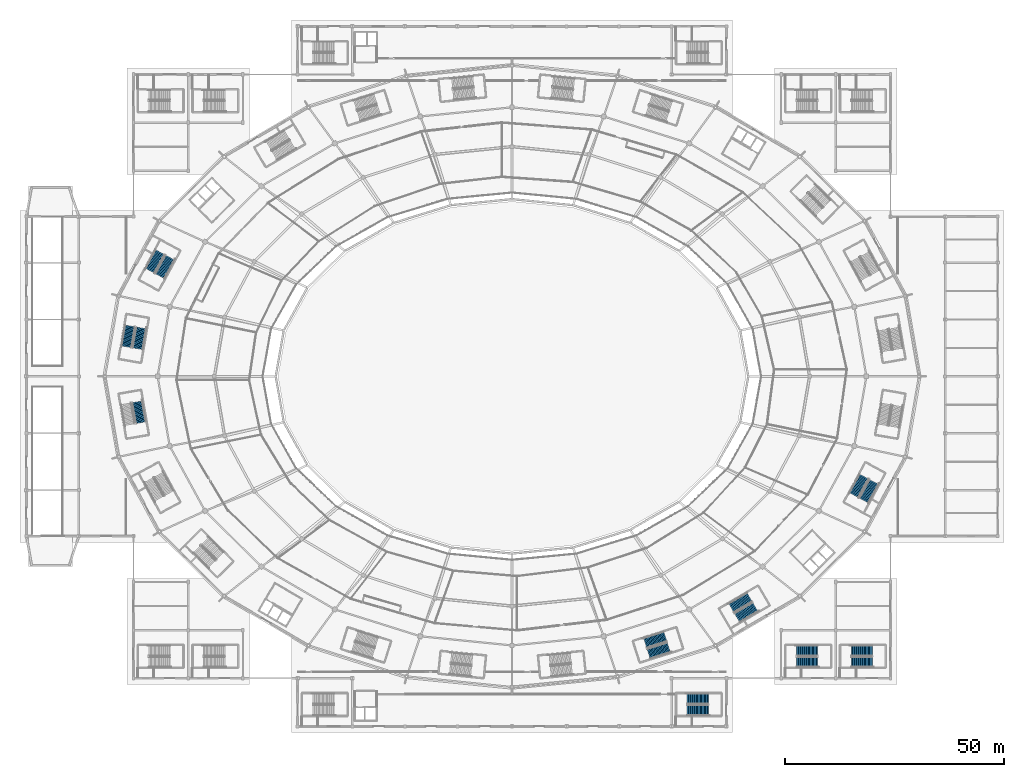
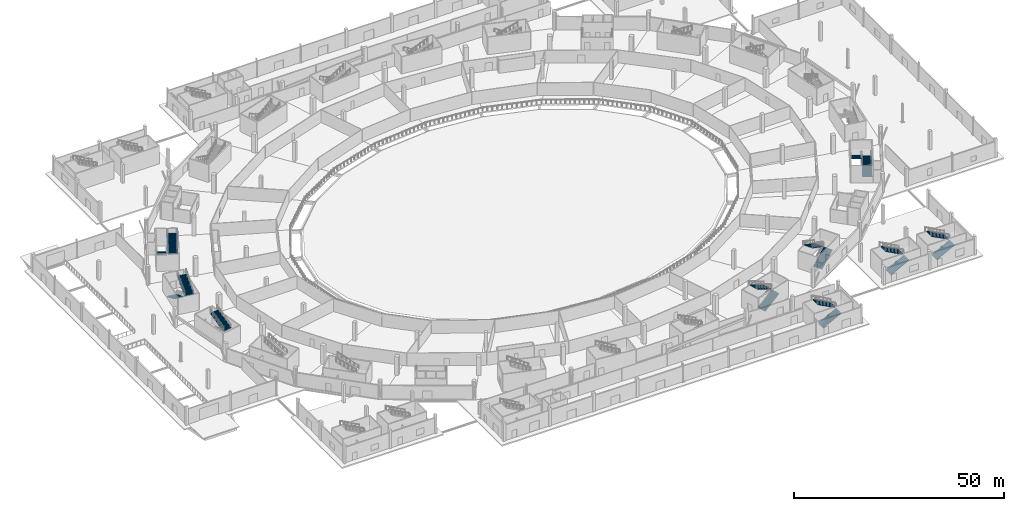
# One storey, part 55 of 82: 17 stair flights, 9 elements without a shape of their own.
"""IFC4 building model written with IfcOpenShell, lengths in metres."""

from ifc_helpers import new_model, si_unit, direction, frame, origin, place, context, subcontext, project, spatial, polyline, outline, extrude, material, type_object, element, aggregate, save


model = new_model("IFC4")

# Units and contexts
model_context = context("Model", 3, precision=1e-05, world=origin(), true_north=direction((0.0, 1.0)))
body_context = subcontext(model_context, "Body", "Model", "MODEL_VIEW")
ifc_project = project(units=[si_unit("LENGTHUNIT", "METRE"), si_unit("AREAUNIT", "SQUARE_METRE"), si_unit("VOLUMEUNIT", "CUBIC_METRE"), si_unit("PLANEANGLEUNIT", "RADIAN"), si_unit("MASSUNIT", "GRAM", prefix="KILO")], contexts=[model_context])

# Site, building, storey
site_placement = place(None, origin())
site = spatial("IfcSite", under=ifc_project, at=site_placement, CompositionType="ELEMENT")
building_placement = place(site_placement, origin())
building = spatial("IfcBuilding", under=site, at=building_placement, Name="Zlatoyarsky Gate Stadium", CompositionType="ELEMENT")
storey_placement = place(building_placement, origin())
storey = spatial("IfcBuildingStorey", under=building, at=storey_placement, Name="L00", CompositionType="ELEMENT", Elevation=0.0)

# Stair, stair flights
ifc_material = material(Name="Concrete C40/50", Category="concrete")
stair_type = type_object("IfcStairType", Name="CONCRETE DOGLEG EXIT STAIR H5400", PredefinedType="TWO_STRAIGHT_RUN_STAIR", material=ifc_material)
stair_1_placement = place(storey_placement, origin())
stair_1 = element("IfcStair", 1, at=stair_1_placement, inside=storey, type_object=stair_type, Name="L00 Exit Stair ST-06", PredefinedType="TWO_STRAIGHT_RUN_STAIR")
stair_flight_type = type_object("IfcStairFlightType", Name="CONCRETE STAIR FLIGHT 2400 H5400", PredefinedType="STRAIGHT", material=ifc_material)
stair_flight_1_placement = place(storey_placement, frame((30.5517578125, 108.37353515625, 0.0), z_axis=(0.0, 0.0, 1.0), x_axis=(-0.476890318595, -0.878962811518, 0.0)))
stair_flight_1 = element("IfcStairFlight", 2, at=stair_flight_1_placement, type_object=stair_flight_type, Name="ST-DG54 flight 1", NumberOfRisers=17, NumberOfTreads=16, PredefinedType="STRAIGHT", RiserHeight=0.158823529, TreadLength=0.3, context=body_context, shape_type="SweptSolid", body=[
    extrude(outline(polyline([(-0.006103515625, -0.180908203125), (-0.006103515625, 0.0), (0.0, 0.0), (0.0, 0.158935546875), (0.300048828125, 0.158935546875), (0.300048828125, 0.317626953125), (0.60009765625, 0.317626953125), (0.60009765625, 0.4765625), (0.89990234375, 0.4765625), (0.89990234375, 0.63525390625), (1.199951171875, 0.63525390625), (1.199951171875, 0.794189453125), (1.5, 0.794189453125), (1.5, 0.952880859375), (1.800048828125, 0.952880859375), (1.800048828125, 1.11181640625), (2.10009765625, 1.11181640625), (2.10009765625, 1.2705078125), (2.39990234375, 1.2705078125), (2.39990234375, 1.429443359375), (2.699951171875, 1.429443359375), (2.699951171875, 1.588134765625), (3.0, 1.588134765625), (3.0, 1.7470703125), (3.300048828125, 1.7470703125), (3.300048828125, 1.90576171875), (3.60009765625, 1.90576171875), (3.60009765625, 2.064697265625), (3.89990234375, 2.064697265625), (3.89990234375, 2.2236328125), (4.199951171875, 2.2236328125), (4.199951171875, 2.38232421875), (4.5, 2.38232421875), (4.5, 2.541259765625), (4.800048828125, 2.541259765625), (4.800048828125, 2.699951171875), (4.805908203125, 2.699951171875), (4.805908203125, 2.3603515625), (4.800048828125, 2.3603515625), (-0.006103515625, -0.180908203125)])), frame((0.0, 1.199951171875, 0.0), z_axis=(0.0, -1.0, 0.0), x_axis=(1.0, 0.0, 0.0)), (0.0, 0.0, 1.0), 2.39990234375),
])
stair_flight_2_placement = place(storey_placement, frame((30.548095703125, 102.91455078125, 2.699951171875), z_axis=(0.0, 0.0, 1.0), x_axis=(0.476890318595, 0.878962811518, 0.0)))
stair_flight_2 = element("IfcStairFlight", 3, at=stair_flight_2_placement, type_object=stair_flight_type, Name="ST-DG54 flight 2", NumberOfRisers=17, NumberOfTreads=16, PredefinedType="STRAIGHT", RiserHeight=0.158823529, TreadLength=0.3, context=body_context, shape_type="SweptSolid", body=[
    extrude(outline(polyline([(-0.006103515625, -0.180908203125), (-0.006103515625, 0.0), (0.0, 0.0), (0.0, 0.158935546875), (0.300048828125, 0.158935546875), (0.300048828125, 0.317626953125), (0.60009765625, 0.317626953125), (0.60009765625, 0.4765625), (0.89990234375, 0.4765625), (0.89990234375, 0.63525390625), (1.199951171875, 0.63525390625), (1.199951171875, 0.794189453125), (1.5, 0.794189453125), (1.5, 0.952880859375), (1.800048828125, 0.952880859375), (1.800048828125, 1.11181640625), (2.10009765625, 1.11181640625), (2.10009765625, 1.2705078125), (2.39990234375, 1.2705078125), (2.39990234375, 1.429443359375), (2.699951171875, 1.429443359375), (2.699951171875, 1.588134765625), (3.0, 1.588134765625), (3.0, 1.7470703125), (3.300048828125, 1.7470703125), (3.300048828125, 1.90576171875), (3.60009765625, 1.90576171875), (3.60009765625, 2.064697265625), (3.89990234375, 2.064697265625), (3.89990234375, 2.2236328125), (4.199951171875, 2.2236328125), (4.199951171875, 2.38232421875), (4.5, 2.38232421875), (4.5, 2.541259765625), (4.800048828125, 2.541259765625), (4.800048828125, 2.699951171875), (4.805908203125, 2.699951171875), (4.805908203125, 2.3603515625), (4.800048828125, 2.3603515625), (-0.006103515625, -0.180908203125)])), frame((0.0, 1.199951171875, 0.0), z_axis=(0.0, -1.0, 0.0), x_axis=(1.0, 0.0, 0.0)), (0.0, 0.0, 1.0), 2.39990234375),
])
aggregate(stair_1, [stair_flight_1, stair_flight_2])

# Stair, stair flight
stair_2_placement = place(storey_placement, origin())
stair_2 = element("IfcStair", 4, at=stair_2_placement, inside=storey, type_object=stair_type, Name="L00 Exit Stair ST-07", PredefinedType="TWO_STRAIGHT_RUN_STAIR")
stair_flight_3_placement = place(storey_placement, frame((26.18505859375, 69.430419921875, 2.699951171875), z_axis=(0.0, 0.0, 1.0), x_axis=(-0.169937754623, 0.985454798331, 0.0)))
stair_flight_3 = element("IfcStairFlight", 5, at=stair_flight_3_placement, type_object=stair_flight_type, Name="ST-DG54 flight 2", NumberOfRisers=17, NumberOfTreads=16, PredefinedType="STRAIGHT", RiserHeight=0.158823529, TreadLength=0.3, context=body_context, shape_type="SweptSolid", body=[
    extrude(outline(polyline([(-0.006103515625, -0.180908203125), (-0.006103515625, 0.0), (0.0, 0.0), (0.0, 0.158935546875), (0.300048828125, 0.158935546875), (0.300048828125, 0.317626953125), (0.60009765625, 0.317626953125), (0.60009765625, 0.4765625), (0.89990234375, 0.4765625), (0.89990234375, 0.63525390625), (1.199951171875, 0.63525390625), (1.199951171875, 0.794189453125), (1.5, 0.794189453125), (1.5, 0.952880859375), (1.800048828125, 0.952880859375), (1.800048828125, 1.11181640625), (2.10009765625, 1.11181640625), (2.10009765625, 1.2705078125), (2.39990234375, 1.2705078125), (2.39990234375, 1.429443359375), (2.699951171875, 1.429443359375), (2.699951171875, 1.588134765625), (3.0, 1.588134765625), (3.0, 1.7470703125), (3.300048828125, 1.7470703125), (3.300048828125, 1.90576171875), (3.60009765625, 1.90576171875), (3.60009765625, 2.064697265625), (3.89990234375, 2.064697265625), (3.89990234375, 2.2236328125), (4.199951171875, 2.2236328125), (4.199951171875, 2.38232421875), (4.5, 2.38232421875), (4.5, 2.541259765625), (4.800048828125, 2.541259765625), (4.800048828125, 2.699951171875), (4.805908203125, 2.699951171875), (4.805908203125, 2.3603515625), (4.800048828125, 2.3603515625), (-0.006103515625, -0.180908203125)])), frame((0.0, 1.199951171875, 0.0), z_axis=(0.0, -1.0, 0.0), x_axis=(1.0, 0.0, 0.0)), (0.0, 0.0, 1.0), 2.39990234375),
])
aggregate(stair_2, [stair_flight_3])

# Stair, stair flights
stair_3_placement = place(storey_placement, origin())
stair_3 = element("IfcStair", 6, at=stair_3_placement, inside=storey, type_object=stair_type, Name="L00 Exit Stair ST-11", PredefinedType="TWO_STRAIGHT_RUN_STAIR")
stair_flight_4_placement = place(storey_placement, frame((162.459228515625, 24.8310546875, 0.0), z_axis=(0.0, 0.0, 1.0), x_axis=(0.86284821159, 0.505463118096, 0.0)))
stair_flight_4 = element("IfcStairFlight", 7, at=stair_flight_4_placement, type_object=stair_flight_type, Name="ST-DG54 flight 1", NumberOfRisers=17, NumberOfTreads=16, PredefinedType="STRAIGHT", RiserHeight=0.158823529, TreadLength=0.3, context=body_context, shape_type="SweptSolid", body=[
    extrude(outline(polyline([(-0.006103515625, -0.180908203125), (-0.006103515625, 0.0), (0.0, 0.0), (0.0, 0.158935546875), (0.300048828125, 0.158935546875), (0.300048828125, 0.317626953125), (0.60009765625, 0.317626953125), (0.60009765625, 0.4765625), (0.89990234375, 0.4765625), (0.89990234375, 0.63525390625), (1.199951171875, 0.63525390625), (1.199951171875, 0.794189453125), (1.5, 0.794189453125), (1.5, 0.952880859375), (1.800048828125, 0.952880859375), (1.800048828125, 1.11181640625), (2.10009765625, 1.11181640625), (2.10009765625, 1.2705078125), (2.39990234375, 1.2705078125), (2.39990234375, 1.429443359375), (2.699951171875, 1.429443359375), (2.699951171875, 1.588134765625), (3.0, 1.588134765625), (3.0, 1.7470703125), (3.300048828125, 1.7470703125), (3.300048828125, 1.90576171875), (3.60009765625, 1.90576171875), (3.60009765625, 2.064697265625), (3.89990234375, 2.064697265625), (3.89990234375, 2.2236328125), (4.199951171875, 2.2236328125), (4.199951171875, 2.38232421875), (4.5, 2.38232421875), (4.5, 2.541259765625), (4.800048828125, 2.541259765625), (4.800048828125, 2.699951171875), (4.805908203125, 2.699951171875), (4.805908203125, 2.3603515625), (4.800048828125, 2.3603515625), (-0.006103515625, -0.180908203125)])), frame((0.0, 1.199951171875, 0.0), z_axis=(0.0, -1.0, 0.0), x_axis=(1.0, 0.0, 0.0)), (0.0, 0.0, 1.0), 2.39990234375),
])
stair_flight_5_placement = place(storey_placement, frame((165.28662109375, 29.500732421875, 2.699951171875), z_axis=(0.0, 0.0, 1.0), x_axis=(-0.86284821159, -0.505463118096, 0.0)))
stair_flight_5 = element("IfcStairFlight", 8, at=stair_flight_5_placement, type_object=stair_flight_type, Name="ST-DG54 flight 2", NumberOfRisers=17, NumberOfTreads=16, PredefinedType="STRAIGHT", RiserHeight=0.158823529, TreadLength=0.3, context=body_context, shape_type="SweptSolid", body=[
    extrude(outline(polyline([(-0.006103515625, -0.180908203125), (-0.006103515625, 0.0), (0.0, 0.0), (0.0, 0.158935546875), (0.300048828125, 0.158935546875), (0.300048828125, 0.317626953125), (0.60009765625, 0.317626953125), (0.60009765625, 0.4765625), (0.89990234375, 0.4765625), (0.89990234375, 0.63525390625), (1.199951171875, 0.63525390625), (1.199951171875, 0.794189453125), (1.5, 0.794189453125), (1.5, 0.952880859375), (1.800048828125, 0.952880859375), (1.800048828125, 1.11181640625), (2.10009765625, 1.11181640625), (2.10009765625, 1.2705078125), (2.39990234375, 1.2705078125), (2.39990234375, 1.429443359375), (2.699951171875, 1.429443359375), (2.699951171875, 1.588134765625), (3.0, 1.588134765625), (3.0, 1.7470703125), (3.300048828125, 1.7470703125), (3.300048828125, 1.90576171875), (3.60009765625, 1.90576171875), (3.60009765625, 2.064697265625), (3.89990234375, 2.064697265625), (3.89990234375, 2.2236328125), (4.199951171875, 2.2236328125), (4.199951171875, 2.38232421875), (4.5, 2.38232421875), (4.5, 2.541259765625), (4.800048828125, 2.541259765625), (4.800048828125, 2.699951171875), (4.805908203125, 2.699951171875), (4.805908203125, 2.3603515625), (4.800048828125, 2.3603515625), (-0.006103515625, -0.180908203125)])), frame((0.0, 1.199951171875, 0.0), z_axis=(0.0, -1.0, 0.0), x_axis=(1.0, 0.0, 0.0)), (0.0, 0.0, 1.0), 2.39990234375),
])
aggregate(stair_3, [stair_flight_4, stair_flight_5])

stair_4_placement = place(storey_placement, origin())
stair_4 = element("IfcStair", 9, at=stair_4_placement, inside=storey, type_object=stair_type, Name="L00 Exit Stair ST-12", PredefinedType="TWO_STRAIGHT_RUN_STAIR")
stair_flight_6_placement = place(storey_placement, frame((191.4482421875, 51.62646484375, 0.0), z_axis=(0.0, 0.0, 1.0), x_axis=(0.476890318595, 0.878962811518, 0.0)))
stair_flight_6 = element("IfcStairFlight", 10, at=stair_flight_6_placement, type_object=stair_flight_type, Name="ST-DG54 flight 1", NumberOfRisers=17, NumberOfTreads=16, PredefinedType="STRAIGHT", RiserHeight=0.158823529, TreadLength=0.3, context=body_context, shape_type="SweptSolid", body=[
    extrude(outline(polyline([(-0.006103515625, -0.180908203125), (-0.006103515625, 0.0), (0.0, 0.0), (0.0, 0.158935546875), (0.300048828125, 0.158935546875), (0.300048828125, 0.317626953125), (0.60009765625, 0.317626953125), (0.60009765625, 0.4765625), (0.89990234375, 0.4765625), (0.89990234375, 0.63525390625), (1.199951171875, 0.63525390625), (1.199951171875, 0.794189453125), (1.5, 0.794189453125), (1.5, 0.952880859375), (1.800048828125, 0.952880859375), (1.800048828125, 1.11181640625), (2.10009765625, 1.11181640625), (2.10009765625, 1.2705078125), (2.39990234375, 1.2705078125), (2.39990234375, 1.429443359375), (2.699951171875, 1.429443359375), (2.699951171875, 1.588134765625), (3.0, 1.588134765625), (3.0, 1.7470703125), (3.300048828125, 1.7470703125), (3.300048828125, 1.90576171875), (3.60009765625, 1.90576171875), (3.60009765625, 2.064697265625), (3.89990234375, 2.064697265625), (3.89990234375, 2.2236328125), (4.199951171875, 2.2236328125), (4.199951171875, 2.38232421875), (4.5, 2.38232421875), (4.5, 2.541259765625), (4.800048828125, 2.541259765625), (4.800048828125, 2.699951171875), (4.805908203125, 2.699951171875), (4.805908203125, 2.3603515625), (4.800048828125, 2.3603515625), (-0.006103515625, -0.180908203125)])), frame((0.0, 1.199951171875, 0.0), z_axis=(0.0, -1.0, 0.0), x_axis=(1.0, 0.0, 0.0)), (0.0, 0.0, 1.0), 2.39990234375),
])
stair_flight_7_placement = place(storey_placement, frame((191.451904296875, 57.08544921875, 2.699951171875), z_axis=(0.0, 0.0, 1.0), x_axis=(-0.476890318595, -0.878962811518, 0.0)))
stair_flight_7 = element("IfcStairFlight", 11, at=stair_flight_7_placement, type_object=stair_flight_type, Name="ST-DG54 flight 2", NumberOfRisers=17, NumberOfTreads=16, PredefinedType="STRAIGHT", RiserHeight=0.158823529, TreadLength=0.3, context=body_context, shape_type="SweptSolid", body=[
    extrude(outline(polyline([(-0.006103515625, -0.180908203125), (-0.006103515625, 0.0), (0.0, 0.0), (0.0, 0.158935546875), (0.300048828125, 0.158935546875), (0.300048828125, 0.317626953125), (0.60009765625, 0.317626953125), (0.60009765625, 0.4765625), (0.89990234375, 0.4765625), (0.89990234375, 0.63525390625), (1.199951171875, 0.63525390625), (1.199951171875, 0.794189453125), (1.5, 0.794189453125), (1.5, 0.952880859375), (1.800048828125, 0.952880859375), (1.800048828125, 1.11181640625), (2.10009765625, 1.11181640625), (2.10009765625, 1.2705078125), (2.39990234375, 1.2705078125), (2.39990234375, 1.429443359375), (2.699951171875, 1.429443359375), (2.699951171875, 1.588134765625), (3.0, 1.588134765625), (3.0, 1.7470703125), (3.300048828125, 1.7470703125), (3.300048828125, 1.90576171875), (3.60009765625, 1.90576171875), (3.60009765625, 2.064697265625), (3.89990234375, 2.064697265625), (3.89990234375, 2.2236328125), (4.199951171875, 2.2236328125), (4.199951171875, 2.38232421875), (4.5, 2.38232421875), (4.5, 2.541259765625), (4.800048828125, 2.541259765625), (4.800048828125, 2.699951171875), (4.805908203125, 2.699951171875), (4.805908203125, 2.3603515625), (4.800048828125, 2.3603515625), (-0.006103515625, -0.180908203125)])), frame((0.0, 1.199951171875, 0.0), z_axis=(0.0, -1.0, 0.0), x_axis=(1.0, 0.0, 0.0)), (0.0, 0.0, 1.0), 2.39990234375),
])
aggregate(stair_4, [stair_flight_6, stair_flight_7])

stair_5_placement = place(storey_placement, origin())
stair_5 = element("IfcStair", 12, at=stair_5_placement, inside=storey, type_object=stair_type, Name="L00 Exit Stair ST-16", PredefinedType="TWO_STRAIGHT_RUN_STAIR")
stair_flight_8_placement = place(storey_placement, frame((142.23828125, 16.58203125, 0.0), z_axis=(0.0, 0.0, 1.0), x_axis=(0.953463118711, 0.301509670257, 0.0)))
stair_flight_8 = element("IfcStairFlight", 13, at=stair_flight_8_placement, type_object=stair_flight_type, Name="ST-DG54 flight 1", NumberOfRisers=17, NumberOfTreads=16, PredefinedType="STRAIGHT", RiserHeight=0.158823529, TreadLength=0.3, context=body_context, shape_type="SweptSolid", body=[
    extrude(outline(polyline([(-0.006103515625, -0.180908203125), (-0.006103515625, 0.0), (0.0, 0.0), (0.0, 0.158935546875), (0.300048828125, 0.158935546875), (0.300048828125, 0.317626953125), (0.60009765625, 0.317626953125), (0.60009765625, 0.4765625), (0.89990234375, 0.4765625), (0.89990234375, 0.63525390625), (1.199951171875, 0.63525390625), (1.199951171875, 0.794189453125), (1.5, 0.794189453125), (1.5, 0.952880859375), (1.800048828125, 0.952880859375), (1.800048828125, 1.11181640625), (2.10009765625, 1.11181640625), (2.10009765625, 1.2705078125), (2.39990234375, 1.2705078125), (2.39990234375, 1.429443359375), (2.699951171875, 1.429443359375), (2.699951171875, 1.588134765625), (3.0, 1.588134765625), (3.0, 1.7470703125), (3.300048828125, 1.7470703125), (3.300048828125, 1.90576171875), (3.60009765625, 1.90576171875), (3.60009765625, 2.064697265625), (3.89990234375, 2.064697265625), (3.89990234375, 2.2236328125), (4.199951171875, 2.2236328125), (4.199951171875, 2.38232421875), (4.5, 2.38232421875), (4.5, 2.541259765625), (4.800048828125, 2.541259765625), (4.800048828125, 2.699951171875), (4.805908203125, 2.699951171875), (4.805908203125, 2.3603515625), (4.800048828125, 2.3603515625), (-0.006103515625, -0.180908203125)])), frame((0.0, 1.199951171875, 0.0), z_axis=(0.0, -1.0, 0.0), x_axis=(1.0, 0.0, 0.0)), (0.0, 0.0, 1.0), 2.39990234375),
])
stair_flight_9_placement = place(storey_placement, frame((146.03076171875, 20.50830078125, 2.699951171875), z_axis=(0.0, 0.0, 1.0), x_axis=(-0.953463118711, -0.301509670257, 0.0)))
stair_flight_9 = element("IfcStairFlight", 14, at=stair_flight_9_placement, type_object=stair_flight_type, Name="ST-DG54 flight 2", NumberOfRisers=17, NumberOfTreads=16, PredefinedType="STRAIGHT", RiserHeight=0.158823529, TreadLength=0.3, context=body_context, shape_type="SweptSolid", body=[
    extrude(outline(polyline([(-0.006103515625, -0.180908203125), (-0.006103515625, 0.0), (0.0, 0.0), (0.0, 0.158935546875), (0.300048828125, 0.158935546875), (0.300048828125, 0.317626953125), (0.60009765625, 0.317626953125), (0.60009765625, 0.4765625), (0.89990234375, 0.4765625), (0.89990234375, 0.63525390625), (1.199951171875, 0.63525390625), (1.199951171875, 0.794189453125), (1.5, 0.794189453125), (1.5, 0.952880859375), (1.800048828125, 0.952880859375), (1.800048828125, 1.11181640625), (2.10009765625, 1.11181640625), (2.10009765625, 1.2705078125), (2.39990234375, 1.2705078125), (2.39990234375, 1.429443359375), (2.699951171875, 1.429443359375), (2.699951171875, 1.588134765625), (3.0, 1.588134765625), (3.0, 1.7470703125), (3.300048828125, 1.7470703125), (3.300048828125, 1.90576171875), (3.60009765625, 1.90576171875), (3.60009765625, 2.064697265625), (3.89990234375, 2.064697265625), (3.89990234375, 2.2236328125), (4.199951171875, 2.2236328125), (4.199951171875, 2.38232421875), (4.5, 2.38232421875), (4.5, 2.541259765625), (4.800048828125, 2.541259765625), (4.800048828125, 2.699951171875), (4.805908203125, 2.699951171875), (4.805908203125, 2.3603515625), (4.800048828125, 2.3603515625), (-0.006103515625, -0.180908203125)])), frame((0.0, 1.199951171875, 0.0), z_axis=(0.0, -1.0, 0.0), x_axis=(1.0, 0.0, 0.0)), (0.0, 0.0, 1.0), 2.39990234375),
])
aggregate(stair_5, [stair_flight_8, stair_flight_9])

stair_6_placement = place(storey_placement, origin())
stair_6 = element("IfcStair", 15, at=stair_6_placement, inside=storey, type_object=stair_type, Name="L00 Exit Stair ST-18", PredefinedType="TWO_STRAIGHT_RUN_STAIR")
stair_flight_10_placement = place(storey_placement, frame((23.707763671875, 91.504150390625, 0.0), z_axis=(0.0, 0.0, 1.0), x_axis=(-0.169937754623, -0.985454798331, 0.0)))
stair_flight_10 = element("IfcStairFlight", 16, at=stair_flight_10_placement, type_object=stair_flight_type, Name="ST-DG54 flight 1", NumberOfRisers=17, NumberOfTreads=16, PredefinedType="STRAIGHT", RiserHeight=0.158823529, TreadLength=0.3, context=body_context, shape_type="SweptSolid", body=[
    extrude(outline(polyline([(-0.006103515625, -0.180908203125), (-0.006103515625, 0.0), (0.0, 0.0), (0.0, 0.158935546875), (0.300048828125, 0.158935546875), (0.300048828125, 0.317626953125), (0.60009765625, 0.317626953125), (0.60009765625, 0.4765625), (0.89990234375, 0.4765625), (0.89990234375, 0.63525390625), (1.199951171875, 0.63525390625), (1.199951171875, 0.794189453125), (1.5, 0.794189453125), (1.5, 0.952880859375), (1.800048828125, 0.952880859375), (1.800048828125, 1.11181640625), (2.10009765625, 1.11181640625), (2.10009765625, 1.2705078125), (2.39990234375, 1.2705078125), (2.39990234375, 1.429443359375), (2.699951171875, 1.429443359375), (2.699951171875, 1.588134765625), (3.0, 1.588134765625), (3.0, 1.7470703125), (3.300048828125, 1.7470703125), (3.300048828125, 1.90576171875), (3.60009765625, 1.90576171875), (3.60009765625, 2.064697265625), (3.89990234375, 2.064697265625), (3.89990234375, 2.2236328125), (4.199951171875, 2.2236328125), (4.199951171875, 2.38232421875), (4.5, 2.38232421875), (4.5, 2.541259765625), (4.800048828125, 2.541259765625), (4.800048828125, 2.699951171875), (4.805908203125, 2.699951171875), (4.805908203125, 2.3603515625), (4.800048828125, 2.3603515625), (-0.006103515625, -0.180908203125)])), frame((0.0, 1.199951171875, 0.0), z_axis=(0.0, -1.0, 0.0), x_axis=(1.0, 0.0, 0.0)), (0.0, 0.0, 1.0), 2.39990234375),
])
stair_flight_11_placement = place(storey_placement, frame((25.454345703125, 86.33203125, 2.699951171875), z_axis=(0.0, 0.0, 1.0), x_axis=(0.169937754623, 0.985454798331, 0.0)))
stair_flight_11 = element("IfcStairFlight", 17, at=stair_flight_11_placement, type_object=stair_flight_type, Name="ST-DG54 flight 2", NumberOfRisers=17, NumberOfTreads=16, PredefinedType="STRAIGHT", RiserHeight=0.158823529, TreadLength=0.3, context=body_context, shape_type="SweptSolid", body=[
    extrude(outline(polyline([(-0.006103515625, -0.180908203125), (-0.006103515625, 0.0), (0.0, 0.0), (0.0, 0.158935546875), (0.300048828125, 0.158935546875), (0.300048828125, 0.317626953125), (0.60009765625, 0.317626953125), (0.60009765625, 0.4765625), (0.89990234375, 0.4765625), (0.89990234375, 0.63525390625), (1.199951171875, 0.63525390625), (1.199951171875, 0.794189453125), (1.5, 0.794189453125), (1.5, 0.952880859375), (1.800048828125, 0.952880859375), (1.800048828125, 1.11181640625), (2.10009765625, 1.11181640625), (2.10009765625, 1.2705078125), (2.39990234375, 1.2705078125), (2.39990234375, 1.429443359375), (2.699951171875, 1.429443359375), (2.699951171875, 1.588134765625), (3.0, 1.588134765625), (3.0, 1.7470703125), (3.300048828125, 1.7470703125), (3.300048828125, 1.90576171875), (3.60009765625, 1.90576171875), (3.60009765625, 2.064697265625), (3.89990234375, 2.064697265625), (3.89990234375, 2.2236328125), (4.199951171875, 2.2236328125), (4.199951171875, 2.38232421875), (4.5, 2.38232421875), (4.5, 2.541259765625), (4.800048828125, 2.541259765625), (4.800048828125, 2.699951171875), (4.805908203125, 2.699951171875), (4.805908203125, 2.3603515625), (4.800048828125, 2.3603515625), (-0.006103515625, -0.180908203125)])), frame((0.0, 1.199951171875, 0.0), z_axis=(0.0, -1.0, 0.0), x_axis=(1.0, 0.0, 0.0)), (0.0, 0.0, 1.0), 2.39990234375),
])
aggregate(stair_6, [stair_flight_10, stair_flight_11])

stair_7_placement = place(storey_placement, origin())
stair_7 = element("IfcStair", 18, at=stair_7_placement, inside=storey, type_object=stair_type, Name="L00 Exit Stair ST-23", PredefinedType="TWO_STRAIGHT_RUN_STAIR")
stair_flight_12_placement = place(storey_placement, frame((176.050048828125, 14.699951171875, 0.0), z_axis=(0.0, 0.0, 1.0), x_axis=(1.0, 0.0, 0.0)))
stair_flight_12 = element("IfcStairFlight", 19, at=stair_flight_12_placement, type_object=stair_flight_type, Name="ST-DG54 flight 1", NumberOfRisers=17, NumberOfTreads=16, PredefinedType="STRAIGHT", RiserHeight=0.158823529, TreadLength=0.3, context=body_context, shape_type="SweptSolid", body=[
    extrude(outline(polyline([(-0.006103515625, -0.180908203125), (-0.006103515625, 0.0), (0.0, 0.0), (0.0, 0.158935546875), (0.300048828125, 0.158935546875), (0.300048828125, 0.317626953125), (0.60009765625, 0.317626953125), (0.60009765625, 0.4765625), (0.89990234375, 0.4765625), (0.89990234375, 0.63525390625), (1.199951171875, 0.63525390625), (1.199951171875, 0.794189453125), (1.5, 0.794189453125), (1.5, 0.952880859375), (1.800048828125, 0.952880859375), (1.800048828125, 1.11181640625), (2.10009765625, 1.11181640625), (2.10009765625, 1.2705078125), (2.39990234375, 1.2705078125), (2.39990234375, 1.429443359375), (2.699951171875, 1.429443359375), (2.699951171875, 1.588134765625), (3.0, 1.588134765625), (3.0, 1.7470703125), (3.300048828125, 1.7470703125), (3.300048828125, 1.90576171875), (3.60009765625, 1.90576171875), (3.60009765625, 2.064697265625), (3.89990234375, 2.064697265625), (3.89990234375, 2.2236328125), (4.199951171875, 2.2236328125), (4.199951171875, 2.38232421875), (4.5, 2.38232421875), (4.5, 2.541259765625), (4.800048828125, 2.541259765625), (4.800048828125, 2.699951171875), (4.805908203125, 2.699951171875), (4.805908203125, 2.3603515625), (4.800048828125, 2.3603515625), (-0.006103515625, -0.180908203125)])), frame((0.0, 1.199951171875, 0.0), z_axis=(0.0, -1.0, 0.0), x_axis=(1.0, 0.0, 0.0)), (0.0, 0.0, 1.0), 2.39990234375),
])
stair_flight_13_placement = place(storey_placement, frame((180.85009765625, 17.300048828125, 2.699951171875), z_axis=(0.0, 0.0, 1.0), x_axis=(-1.0, 0.0, 0.0)))
stair_flight_13 = element("IfcStairFlight", 20, at=stair_flight_13_placement, type_object=stair_flight_type, Name="ST-DG54 flight 2", NumberOfRisers=17, NumberOfTreads=16, PredefinedType="STRAIGHT", RiserHeight=0.158823529, TreadLength=0.3, context=body_context, shape_type="SweptSolid", body=[
    extrude(outline(polyline([(-0.006103515625, -0.180908203125), (-0.006103515625, 0.0), (0.0, 0.0), (0.0, 0.158935546875), (0.300048828125, 0.158935546875), (0.300048828125, 0.317626953125), (0.60009765625, 0.317626953125), (0.60009765625, 0.4765625), (0.89990234375, 0.4765625), (0.89990234375, 0.63525390625), (1.199951171875, 0.63525390625), (1.199951171875, 0.794189453125), (1.5, 0.794189453125), (1.5, 0.952880859375), (1.800048828125, 0.952880859375), (1.800048828125, 1.11181640625), (2.10009765625, 1.11181640625), (2.10009765625, 1.2705078125), (2.39990234375, 1.2705078125), (2.39990234375, 1.429443359375), (2.699951171875, 1.429443359375), (2.699951171875, 1.588134765625), (3.0, 1.588134765625), (3.0, 1.7470703125), (3.300048828125, 1.7470703125), (3.300048828125, 1.90576171875), (3.60009765625, 1.90576171875), (3.60009765625, 2.064697265625), (3.89990234375, 2.064697265625), (3.89990234375, 2.2236328125), (4.199951171875, 2.2236328125), (4.199951171875, 2.38232421875), (4.5, 2.38232421875), (4.5, 2.541259765625), (4.800048828125, 2.541259765625), (4.800048828125, 2.699951171875), (4.805908203125, 2.699951171875), (4.805908203125, 2.3603515625), (4.800048828125, 2.3603515625), (-0.006103515625, -0.180908203125)])), frame((0.0, 1.199951171875, 0.0), z_axis=(0.0, -1.0, 0.0), x_axis=(1.0, 0.0, 0.0)), (0.0, 0.0, 1.0), 2.39990234375),
])
aggregate(stair_7, [stair_flight_12, stair_flight_13])

stair_8_placement = place(storey_placement, origin())
stair_8 = element("IfcStair", 21, at=stair_8_placement, inside=storey, type_object=stair_type, Name="L00 Exit Stair ST-24", PredefinedType="TWO_STRAIGHT_RUN_STAIR")
stair_flight_14_placement = place(storey_placement, frame((188.550048828125, 14.699951171875, 0.0), z_axis=(0.0, 0.0, 1.0), x_axis=(1.0, 0.0, 0.0)))
stair_flight_14 = element("IfcStairFlight", 22, at=stair_flight_14_placement, type_object=stair_flight_type, Name="ST-DG54 flight 1", NumberOfRisers=17, NumberOfTreads=16, PredefinedType="STRAIGHT", RiserHeight=0.158823529, TreadLength=0.3, context=body_context, shape_type="SweptSolid", body=[
    extrude(outline(polyline([(-0.006103515625, -0.180908203125), (-0.006103515625, 0.0), (0.0, 0.0), (0.0, 0.158935546875), (0.300048828125, 0.158935546875), (0.300048828125, 0.317626953125), (0.60009765625, 0.317626953125), (0.60009765625, 0.4765625), (0.89990234375, 0.4765625), (0.89990234375, 0.63525390625), (1.199951171875, 0.63525390625), (1.199951171875, 0.794189453125), (1.5, 0.794189453125), (1.5, 0.952880859375), (1.800048828125, 0.952880859375), (1.800048828125, 1.11181640625), (2.10009765625, 1.11181640625), (2.10009765625, 1.2705078125), (2.39990234375, 1.2705078125), (2.39990234375, 1.429443359375), (2.699951171875, 1.429443359375), (2.699951171875, 1.588134765625), (3.0, 1.588134765625), (3.0, 1.7470703125), (3.300048828125, 1.7470703125), (3.300048828125, 1.90576171875), (3.60009765625, 1.90576171875), (3.60009765625, 2.064697265625), (3.89990234375, 2.064697265625), (3.89990234375, 2.2236328125), (4.199951171875, 2.2236328125), (4.199951171875, 2.38232421875), (4.5, 2.38232421875), (4.5, 2.541259765625), (4.800048828125, 2.541259765625), (4.800048828125, 2.699951171875), (4.805908203125, 2.699951171875), (4.805908203125, 2.3603515625), (4.800048828125, 2.3603515625), (-0.006103515625, -0.180908203125)])), frame((0.0, 1.199951171875, 0.0), z_axis=(0.0, -1.0, 0.0), x_axis=(1.0, 0.0, 0.0)), (0.0, 0.0, 1.0), 2.39990234375),
])
stair_flight_15_placement = place(storey_placement, frame((193.35009765625, 17.300048828125, 2.699951171875), z_axis=(0.0, 0.0, 1.0), x_axis=(-1.0, 0.0, 0.0)))
stair_flight_15 = element("IfcStairFlight", 23, at=stair_flight_15_placement, type_object=stair_flight_type, Name="ST-DG54 flight 2", NumberOfRisers=17, NumberOfTreads=16, PredefinedType="STRAIGHT", RiserHeight=0.158823529, TreadLength=0.3, context=body_context, shape_type="SweptSolid", body=[
    extrude(outline(polyline([(-0.006103515625, -0.180908203125), (-0.006103515625, 0.0), (0.0, 0.0), (0.0, 0.158935546875), (0.300048828125, 0.158935546875), (0.300048828125, 0.317626953125), (0.60009765625, 0.317626953125), (0.60009765625, 0.4765625), (0.89990234375, 0.4765625), (0.89990234375, 0.63525390625), (1.199951171875, 0.63525390625), (1.199951171875, 0.794189453125), (1.5, 0.794189453125), (1.5, 0.952880859375), (1.800048828125, 0.952880859375), (1.800048828125, 1.11181640625), (2.10009765625, 1.11181640625), (2.10009765625, 1.2705078125), (2.39990234375, 1.2705078125), (2.39990234375, 1.429443359375), (2.699951171875, 1.429443359375), (2.699951171875, 1.588134765625), (3.0, 1.588134765625), (3.0, 1.7470703125), (3.300048828125, 1.7470703125), (3.300048828125, 1.90576171875), (3.60009765625, 1.90576171875), (3.60009765625, 2.064697265625), (3.89990234375, 2.064697265625), (3.89990234375, 2.2236328125), (4.199951171875, 2.2236328125), (4.199951171875, 2.38232421875), (4.5, 2.38232421875), (4.5, 2.541259765625), (4.800048828125, 2.541259765625), (4.800048828125, 2.699951171875), (4.805908203125, 2.699951171875), (4.805908203125, 2.3603515625), (4.800048828125, 2.3603515625), (-0.006103515625, -0.180908203125)])), frame((0.0, 1.199951171875, 0.0), z_axis=(0.0, -1.0, 0.0), x_axis=(1.0, 0.0, 0.0)), (0.0, 0.0, 1.0), 2.39990234375),
])
aggregate(stair_8, [stair_flight_14, stair_flight_15])

stair_9_placement = place(storey_placement, origin())
stair_9 = element("IfcStair", 24, at=stair_9_placement, inside=storey, type_object=stair_type, Name="L00 Exit Stair ST-30", PredefinedType="TWO_STRAIGHT_RUN_STAIR")
stair_flight_16_placement = place(storey_placement, frame((151.050048828125, 3.699951171875, 0.0), z_axis=(0.0, 0.0, 1.0), x_axis=(1.0, 0.0, 0.0)))
stair_flight_16 = element("IfcStairFlight", 25, at=stair_flight_16_placement, type_object=stair_flight_type, Name="ST-DG54 flight 1", NumberOfRisers=17, NumberOfTreads=16, PredefinedType="STRAIGHT", RiserHeight=0.158823529, TreadLength=0.3, context=body_context, shape_type="SweptSolid", body=[
    extrude(outline(polyline([(-0.006103515625, -0.180908203125), (-0.006103515625, 0.0), (0.0, 0.0), (0.0, 0.158935546875), (0.300048828125, 0.158935546875), (0.300048828125, 0.317626953125), (0.60009765625, 0.317626953125), (0.60009765625, 0.4765625), (0.89990234375, 0.4765625), (0.89990234375, 0.63525390625), (1.199951171875, 0.63525390625), (1.199951171875, 0.794189453125), (1.5, 0.794189453125), (1.5, 0.952880859375), (1.800048828125, 0.952880859375), (1.800048828125, 1.11181640625), (2.10009765625, 1.11181640625), (2.10009765625, 1.2705078125), (2.39990234375, 1.2705078125), (2.39990234375, 1.429443359375), (2.699951171875, 1.429443359375), (2.699951171875, 1.588134765625), (3.0, 1.588134765625), (3.0, 1.7470703125), (3.300048828125, 1.7470703125), (3.300048828125, 1.90576171875), (3.60009765625, 1.90576171875), (3.60009765625, 2.064697265625), (3.89990234375, 2.064697265625), (3.89990234375, 2.2236328125), (4.199951171875, 2.2236328125), (4.199951171875, 2.38232421875), (4.5, 2.38232421875), (4.5, 2.541259765625), (4.800048828125, 2.541259765625), (4.800048828125, 2.699951171875), (4.805908203125, 2.699951171875), (4.805908203125, 2.3603515625), (4.800048828125, 2.3603515625), (-0.006103515625, -0.180908203125)])), frame((0.0, 1.199951171875, 0.0), z_axis=(0.0, -1.0, 0.0), x_axis=(1.0, 0.0, 0.0)), (0.0, 0.0, 1.0), 2.39990234375),
])
stair_flight_17_placement = place(storey_placement, frame((155.85009765625, 6.300048828125, 2.699951171875), z_axis=(0.0, 0.0, 1.0), x_axis=(-1.0, 0.0, 0.0)))
stair_flight_17 = element("IfcStairFlight", 26, at=stair_flight_17_placement, type_object=stair_flight_type, Name="ST-DG54 flight 2", NumberOfRisers=17, NumberOfTreads=16, PredefinedType="STRAIGHT", RiserHeight=0.158823529, TreadLength=0.3, context=body_context, shape_type="SweptSolid", body=[
    extrude(outline(polyline([(-0.006103515625, -0.180908203125), (-0.006103515625, 0.0), (0.0, 0.0), (0.0, 0.158935546875), (0.300048828125, 0.158935546875), (0.300048828125, 0.317626953125), (0.60009765625, 0.317626953125), (0.60009765625, 0.4765625), (0.89990234375, 0.4765625), (0.89990234375, 0.63525390625), (1.199951171875, 0.63525390625), (1.199951171875, 0.794189453125), (1.5, 0.794189453125), (1.5, 0.952880859375), (1.800048828125, 0.952880859375), (1.800048828125, 1.11181640625), (2.10009765625, 1.11181640625), (2.10009765625, 1.2705078125), (2.39990234375, 1.2705078125), (2.39990234375, 1.429443359375), (2.699951171875, 1.429443359375), (2.699951171875, 1.588134765625), (3.0, 1.588134765625), (3.0, 1.7470703125), (3.300048828125, 1.7470703125), (3.300048828125, 1.90576171875), (3.60009765625, 1.90576171875), (3.60009765625, 2.064697265625), (3.89990234375, 2.064697265625), (3.89990234375, 2.2236328125), (4.199951171875, 2.2236328125), (4.199951171875, 2.38232421875), (4.5, 2.38232421875), (4.5, 2.541259765625), (4.800048828125, 2.541259765625), (4.800048828125, 2.699951171875), (4.805908203125, 2.699951171875), (4.805908203125, 2.3603515625), (4.800048828125, 2.3603515625), (-0.006103515625, -0.180908203125)])), frame((0.0, 1.199951171875, 0.0), z_axis=(0.0, -1.0, 0.0), x_axis=(1.0, 0.0, 0.0)), (0.0, 0.0, 1.0), 2.39990234375),
])
aggregate(stair_9, [stair_flight_16, stair_flight_17])

save(model, "model.ifc")
